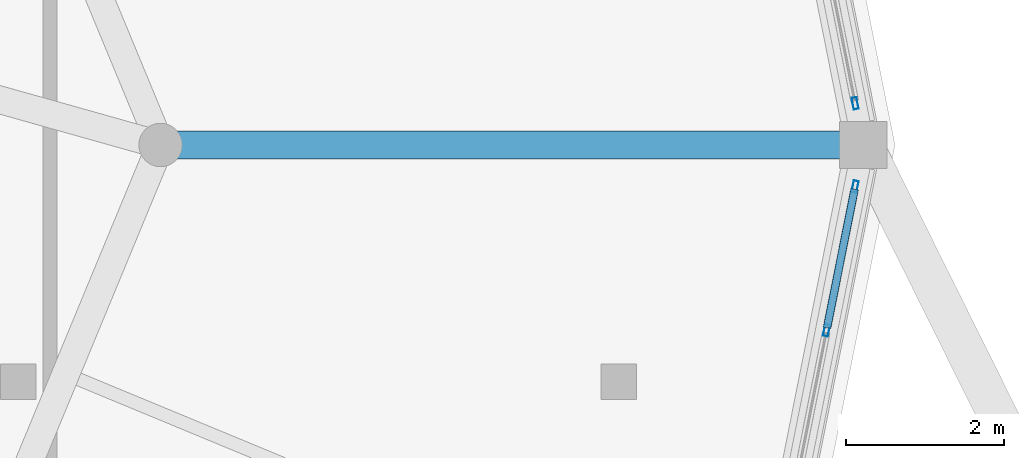
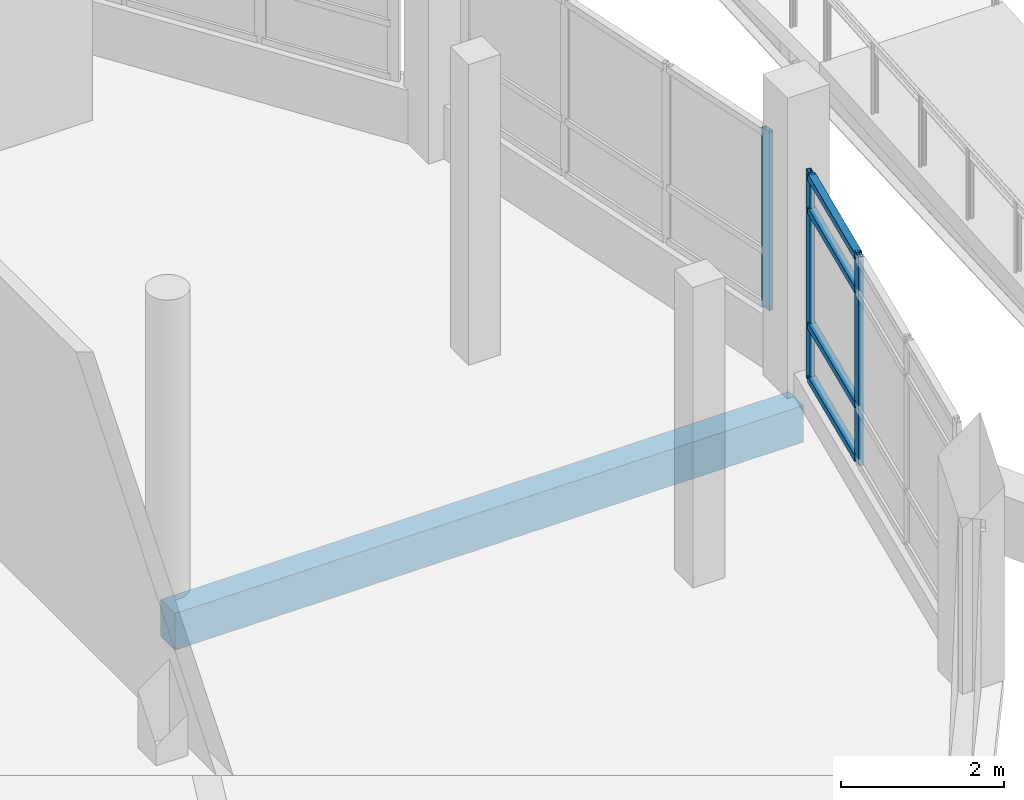
# One storey, part 74 of 129: 7 members, 1 beam, 2 elements without a shape of their own.
"""IFC4 building model written with IfcOpenShell, lengths in metres."""

from ifc_helpers import new_model, si_unit, direction, frame, origin, origin_2d, place, context, subcontext, project, spatial, rectangle, hollow_rectangle, extrude, material, layer, layer_set, material_profile, profile_set, type_object, element, aggregate, save


model = new_model("IFC4")

# Units and contexts
model_context = context("Model", 3, precision=1e-05, world=origin(), true_north=direction((0.0, 1.0)))
body_context = subcontext(model_context, "Body", "Model", "MODEL_VIEW")
ifc_project = project(units=[si_unit("LENGTHUNIT", "METRE"), si_unit("AREAUNIT", "SQUARE_METRE"), si_unit("VOLUMEUNIT", "CUBIC_METRE"), si_unit("PLANEANGLEUNIT", "RADIAN"), si_unit("MASSUNIT", "GRAM", prefix="KILO")], contexts=[model_context])

# Site, building, storey
site_placement = place(None, origin())
site = spatial("IfcSite", under=ifc_project, at=site_placement, CompositionType="ELEMENT")
building_placement = place(site_placement, origin())
building = spatial("IfcBuilding", under=site, at=building_placement, Name="Vespera Passage Community Centre", CompositionType="ELEMENT")
storey_placement = place(building_placement, origin())
storey = spatial("IfcBuildingStorey", under=building, at=storey_placement, Name="L00", CompositionType="ELEMENT", Elevation=0.0)

# Beam
ifc_material_1 = material(Name="Concrete f'c 35 MPa", Category="concrete")
ifc_material_profile_1 = material_profile(ifc_material_1, rectangle(XDim=0.35009765625, YDim=0.550048828125, at=origin_2d()), Name="RC350X550")
ifc_profile_set_1 = profile_set([ifc_material_profile_1], Name="Concrete f'c 35 MPa")
beam_type = type_object("IfcBeamType", Name="BM-J-350X550", PredefinedType="JOIST", material=ifc_profile_set_1)
beam_placement = place(storey_placement, frame((149.199951171875, 25.0, -0.554931640625), z_axis=(1.0, 0.0, 0.0), x_axis=(0.0, 1.0, 0.0)))
element("IfcBeam", 1, at=beam_placement, inside=storey, type_object=beam_type, Name="V3 L00 Radial Girder 1", PredefinedType="JOIST", context=body_context, shape_type="SweptSolid", body=[
    extrude(rectangle(XDim=0.35009765625, YDim=0.550048828125, at=origin_2d()), origin(), (0.0, 0.0, 1.0), 8.900146484375),
])

# Curtain wall, member
ifc_material_2 = material(Name="Anodized aluminium 6063-T6", Category="aluminium")
ifc_layer_1 = layer(ifc_material_2, 0.159912109375)
ifc_layer_set_1 = layer_set([ifc_layer_1], Name="Anodized aluminium 6063-T6")
curtain_wall_type_1 = type_object("IfcCurtainWallType", Name="CW-101E", PredefinedType="NOTDEFINED", material=ifc_layer_set_1)
curtain_wall_1_placement = place(storey_placement, origin())
curtain_wall_1 = element("IfcCurtainWall", 2, at=curtain_wall_1_placement, inside=storey, type_object=curtain_wall_type_1, Name="Dining Drum Ribbon Curtain Wall L00.1", PredefinedType="NOTDEFINED")
ifc_material_3 = material(Name="Anodized aluminium 6063-T6", Category="aluminium")
ifc_material_profile_2 = material_profile(ifc_material_3, hollow_rectangle(XDim=0.06494140625, YDim=0.14990234375, WallThickness=0.00390625, InnerFilletRadius=0.001953125, OuterFilletRadius=0.00390625, at=origin_2d()), Name="ALU150X65X4")
ifc_profile_set_2 = profile_set([ifc_material_profile_2], Name="Anodized aluminium 6063-T6")
member_type_1 = type_object("IfcMemberType", Name="MB-CWM-150E", PredefinedType="MULLION", material=ifc_profile_set_2)
member_1_placement = place(storey_placement, frame((157.994873046875, 25.528076171875, 0.800048828125), z_axis=(0.0, 0.0, 1.0), x_axis=(0.980783996069, 0.195096778691, 0.0)))
member_1 = element("IfcMember", 3, at=member_1_placement, type_object=member_type_1, Name="CW-101E mullion 4", PredefinedType="MULLION", context=body_context, shape_type="SweptSolid", body=[
    extrude(hollow_rectangle(XDim=0.06494140625, YDim=0.14990234375, WallThickness=0.00390625, InnerFilletRadius=0.001953125, OuterFilletRadius=0.00390625, at=origin_2d()), origin(), (0.0, 0.0, 1.0), 2.675048828125),
])
aggregate(curtain_wall_1, [member_1])

# Curtain wall, members
ifc_material_4 = material(Name="Anodized aluminium 6063-T6", Category="aluminium")
ifc_layer_2 = layer(ifc_material_4, 0.159912109375)
ifc_layer_set_2 = layer_set([ifc_layer_2], Name="Anodized aluminium 6063-T6")
curtain_wall_type_2 = type_object("IfcCurtainWallType", Name="CW-103E", PredefinedType="NOTDEFINED", material=ifc_layer_set_2)
curtain_wall_2_placement = place(storey_placement, origin())
curtain_wall_2 = element("IfcCurtainWall", 4, at=curtain_wall_2_placement, inside=storey, type_object=curtain_wall_type_2, Name="Dining Drum Ribbon Curtain Wall L00.16", PredefinedType="NOTDEFINED")
member_2_placement = place(storey_placement, frame((157.994873046875, 24.471923828125, 0.35009765625), z_axis=(0.0, 0.0, 1.0), x_axis=(0.980783996069, -0.195096778691, 0.0)))
member_2 = element("IfcMember", 5, at=member_2_placement, type_object=member_type_1, Name="CW-103E mullion 1", PredefinedType="MULLION", context=body_context, shape_type="SweptSolid", body=[
    extrude(hollow_rectangle(XDim=0.06494140625, YDim=0.14990234375, WallThickness=0.00390625, InnerFilletRadius=0.001953125, OuterFilletRadius=0.00390625, at=origin_2d()), origin(), (0.0, 0.0, 1.0), 3.125),
])
member_3_placement = place(storey_placement, frame((157.63330078125, 22.6533203125, 0.35009765625), z_axis=(0.0, 0.0, 1.0), x_axis=(0.980783996069, -0.195096778691, 0.0)))
member_3 = element("IfcMember", 6, at=member_3_placement, type_object=member_type_1, Name="CW-103E mullion 2", PredefinedType="MULLION", context=body_context, shape_type="SweptSolid", body=[
    extrude(hollow_rectangle(XDim=0.06494140625, YDim=0.14990234375, WallThickness=0.00390625, InnerFilletRadius=0.001953125, OuterFilletRadius=0.00390625, at=origin_2d()), origin(), (0.0, 0.0, 1.0), 3.125),
])
ifc_material_5 = material(Name="Anodized aluminium 6063-T6", Category="aluminium")
ifc_material_profile_3 = material_profile(ifc_material_5, hollow_rectangle(XDim=0.10009765625, YDim=0.10009765625, WallThickness=0.00390625, InnerFilletRadius=0.001953125, OuterFilletRadius=0.00390625, at=origin_2d()), Name="ALU100X100X4")
ifc_profile_set_3 = profile_set([ifc_material_profile_3], Name="Anodized aluminium 6063-T6")
member_type_2 = type_object("IfcMemberType", Name="MB-CWT-100E", PredefinedType="USERDEFINED", material=ifc_profile_set_3)
member_4_placement = place(storey_placement, frame((157.988525390625, 24.43994140625, 0.39990234375), z_axis=(-0.194987665203, -0.980805694528, 0.0), x_axis=(0.980805694528, -0.194987665203, 0.0)))
member_4 = element("IfcMember", 7, at=member_4_placement, type_object=member_type_2, Name="CW-103E transom 1.1", ObjectType="TRANSOM", PredefinedType="USERDEFINED", context=body_context, shape_type="SweptSolid", body=[
    extrude(hollow_rectangle(XDim=0.10009765625, YDim=0.10009765625, WallThickness=0.00390625, InnerFilletRadius=0.001953125, OuterFilletRadius=0.00390625, at=origin_2d()), origin(), (0.0, 0.0, 1.0), 1.789306640625),
])
member_5_placement = place(storey_placement, frame((157.988525390625, 24.43994140625, 1.199951171875), z_axis=(-0.194987665203, -0.980805694528, 0.0), x_axis=(0.980805694528, -0.194987665203, 0.0)))
member_5 = element("IfcMember", 8, at=member_5_placement, type_object=member_type_2, Name="CW-103E transom 1.2", ObjectType="TRANSOM", PredefinedType="USERDEFINED", context=body_context, shape_type="SweptSolid", body=[
    extrude(hollow_rectangle(XDim=0.10009765625, YDim=0.10009765625, WallThickness=0.00390625, InnerFilletRadius=0.001953125, OuterFilletRadius=0.00390625, at=origin_2d()), origin(), (0.0, 0.0, 1.0), 1.789306640625),
])
member_6_placement = place(storey_placement, frame((157.988525390625, 24.43994140625, 2.925048828125), z_axis=(-0.194987665203, -0.980805694528, 0.0), x_axis=(0.980805694528, -0.194987665203, 0.0)))
member_6 = element("IfcMember", 9, at=member_6_placement, type_object=member_type_2, Name="CW-103E transom 1.3", ObjectType="TRANSOM", PredefinedType="USERDEFINED", context=body_context, shape_type="SweptSolid", body=[
    extrude(hollow_rectangle(XDim=0.10009765625, YDim=0.10009765625, WallThickness=0.00390625, InnerFilletRadius=0.001953125, OuterFilletRadius=0.00390625, at=origin_2d()), origin(), (0.0, 0.0, 1.0), 1.789306640625),
])
member_7_placement = place(storey_placement, frame((157.988525390625, 24.43994140625, 3.425048828125), z_axis=(-0.194987665203, -0.980805694528, 0.0), x_axis=(0.980805694528, -0.194987665203, 0.0)))
member_7 = element("IfcMember", 10, at=member_7_placement, type_object=member_type_2, Name="CW-103E transom 1.4", ObjectType="TRANSOM", PredefinedType="USERDEFINED", context=body_context, shape_type="SweptSolid", body=[
    extrude(hollow_rectangle(XDim=0.10009765625, YDim=0.10009765625, WallThickness=0.00390625, InnerFilletRadius=0.001953125, OuterFilletRadius=0.00390625, at=origin_2d()), origin(), (0.0, 0.0, 1.0), 1.789306640625),
])
aggregate(curtain_wall_2, [member_2, member_3, member_4, member_5, member_6, member_7])

save(model, "model.ifc")
